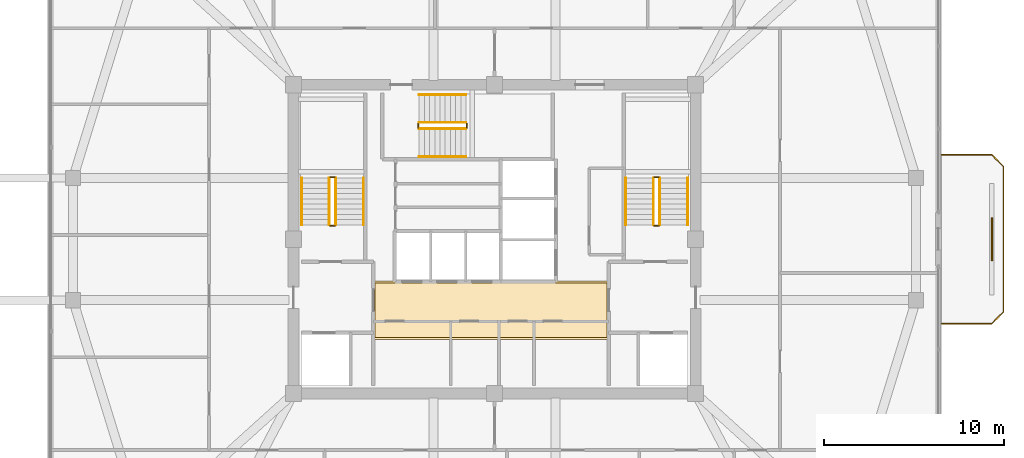
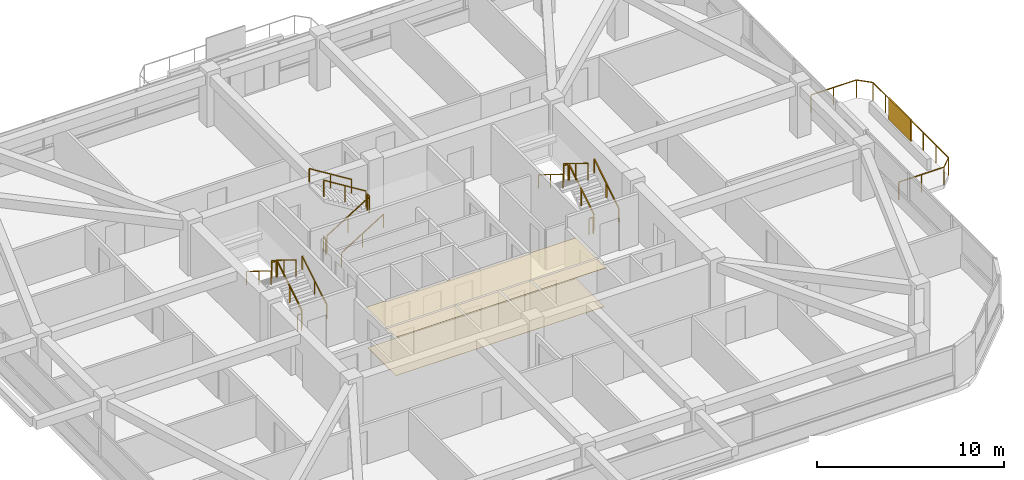
# One storey, part 13 of 14: 19 railings, 2 coverings, 1 shading device.
"""IFC4 building model written with IfcOpenShell, lengths in metres."""

from ifc_helpers import new_model, si_unit, derived_unit, direction, frame, origin, origin_2d, place, context, subcontext, project, spatial, polyline, rectangle, outline, extrude, material, layer, layer_set, type_object, element, save


model = new_model("IFC4")

# Units and contexts
model_context = context("Model", 3, precision=1e-05, world=origin(), true_north=direction((0.0, 1.0)))
body_context = subcontext(model_context, "Body", "Model", "MODEL_VIEW")
ifc_project = project(units=[si_unit("LENGTHUNIT", "METRE"), si_unit("AREAUNIT", "SQUARE_METRE"), si_unit("VOLUMEUNIT", "CUBIC_METRE"), si_unit("PLANEANGLEUNIT", "RADIAN"), si_unit("MASSUNIT", "GRAM", prefix="KILO"), derived_unit("THERMALTRANSMITTANCEUNIT", [(si_unit("POWERUNIT", "WATT"), 1), (si_unit("LENGTHUNIT", "METRE"), -2), (si_unit("THERMODYNAMICTEMPERATUREUNIT", "KELVIN"), -1)])], contexts=[model_context])

# Site, building, storey
site_placement = place(None, origin())
site = spatial("IfcSite", under=ifc_project, at=site_placement, CompositionType="ELEMENT")
building_placement = place(site_placement, origin())
building = spatial("IfcBuilding", under=site, at=building_placement, Name="Koralith Skygarden Medical Center", CompositionType="ELEMENT")
storey_placement = place(building_placement, frame((0.0, 0.0, 246.419921875)))
storey = spatial("IfcBuildingStorey", under=building, at=storey_placement, Name="L63", CompositionType="ELEMENT", Elevation=246.419921875)

# Covering
ifc_material_1 = material(Name="Acoustic Mineral Tile")
ifc_layer_1 = layer(ifc_material_1, 0.02001953125)
ifc_layer_set_1 = layer_set([ifc_layer_1], Name="Acoustic Mineral Tile")
covering_type_1 = type_object("IfcCoveringType", Name="Acoustic Hygienic Mineral Ceiling 20", PredefinedType="CEILING", material=ifc_layer_set_1)
covering_1_placement = place(storey_placement, frame((0.0, 0.0, 2.5849609375)))
element("IfcCovering", 1, at=covering_1_placement, inside=storey, type_object=covering_type_1, Name="L63 Core Lobby Acoustic Ceiling", PredefinedType="CEILING", context=body_context, shape_type="SweptSolid", body=[
    extrude(outline(polyline([(30.25, 20.320068359375), (43.35009765625, 20.320068359375), (43.35009765625, 23.56005859375), (30.25, 23.56005859375), (30.25, 20.320068359375)])), origin(), (0.0, 0.0, 1.0), 0.02001953125),
])

# Railing
ifc_material_2 = material(Name="Steel ASTM A500 Grade C", Category="steel")
railing_type_1 = type_object("IfcRailingType", Name="Outdoor Terrace & Balcony Safety Guardrail 1180", PredefinedType="GUARDRAIL", material=ifc_material_2)
railing_1_placement = place(storey_placement, frame((61.89990234375, 21.199951171875, 0.0)))
element("IfcRailing", 2, at=railing_1_placement, inside=storey, type_object=railing_type_1, Name="L63 E Balcony Perimeter Guardrail", PredefinedType="GUARDRAIL", context=body_context, shape_type="SweptSolid", body=[
    extrude(rectangle(XDim=0.050048828125, YDim=0.050048828125, at=origin_2d()), frame((0.001953125, 0.0, 1.15478515625), z_axis=(1.0, 0.0, 0.0), x_axis=(0.0, 1.0, 0.0)), (0.0, 0.0, 1.0), 2.796142578125),
    extrude(rectangle(XDim=0.050048828125, YDim=0.050048828125, at=origin_2d()), frame((2.801513671875, 0.00146484375, 1.15478515625), z_axis=(0.707106781187, 0.707106781187, 0.0), x_axis=(-0.707106781187, 0.707106781187, 0.0)), (0.0, 0.0, 1.0), 0.91552734375),
    extrude(rectangle(XDim=0.050048828125, YDim=0.050048828125, at=origin_2d()), frame((3.4501953125, 0.652099609375, 1.15478515625), z_axis=(0.0, 1.0, 0.0), x_axis=(-1.0, 0.0, 0.0)), (0.0, 0.0, 1.0), 8.095947265625),
    extrude(rectangle(XDim=0.050048828125, YDim=0.050048828125, at=origin_2d()), frame((3.44873046875, 8.75146484375, 1.15478515625), z_axis=(-0.707106781187, 0.707106781187, 0.0), x_axis=(-0.707106781187, -0.707106781187, 0.0)), (0.0, 0.0, 1.0), 0.91552734375),
    extrude(rectangle(XDim=0.050048828125, YDim=0.050048828125, at=origin_2d()), frame((2.798095703125, 9.400146484375, 1.15478515625), z_axis=(-1.0, 0.0, 0.0), x_axis=(0.0, -1.0, 0.0)), (0.0, 0.0, 1.0), 2.796142578125),
    extrude(rectangle(XDim=0.0419921875, YDim=0.0419921875, at=origin_2d()), origin(), (0.0, 0.0, 1.0), 1.1279296875),
    extrude(rectangle(XDim=0.0419921875, YDim=0.0419921875, at=origin_2d()), frame((1.39990234375, 0.0, 0.0)), (0.0, 0.0, 1.0), 1.1279296875),
    extrude(rectangle(XDim=0.0419921875, YDim=0.0419921875, at=origin_2d()), frame((2.800048828125, 0.0, 0.0)), (0.0, 0.0, 1.0), 1.1279296875),
    extrude(rectangle(XDim=0.0419921875, YDim=0.0419921875, at=origin_2d()), frame((3.4501953125, 0.650146484375, 0.0)), (0.0, 0.0, 1.0), 1.1279296875),
    extrude(rectangle(XDim=0.0419921875, YDim=0.0419921875, at=origin_2d()), frame((3.4501953125, 2.0, 0.0)), (0.0, 0.0, 1.0), 1.1279296875),
    extrude(rectangle(XDim=0.0419921875, YDim=0.0419921875, at=origin_2d()), frame((3.4501953125, 3.35009765625, 0.0)), (0.0, 0.0, 1.0), 1.1279296875),
    extrude(rectangle(XDim=0.0419921875, YDim=0.0419921875, at=origin_2d()), frame((3.4501953125, 4.7001953125, 0.0)), (0.0, 0.0, 1.0), 1.1279296875),
    extrude(rectangle(XDim=0.0419921875, YDim=0.0419921875, at=origin_2d()), frame((3.4501953125, 6.050048828125, 0.0)), (0.0, 0.0, 1.0), 1.1279296875),
    extrude(rectangle(XDim=0.0419921875, YDim=0.0419921875, at=origin_2d()), frame((3.4501953125, 7.39990234375, 0.0)), (0.0, 0.0, 1.0), 1.1279296875),
    extrude(rectangle(XDim=0.0419921875, YDim=0.0419921875, at=origin_2d()), frame((3.4501953125, 8.75, 0.0)), (0.0, 0.0, 1.0), 1.1279296875),
    extrude(rectangle(XDim=0.0419921875, YDim=0.0419921875, at=origin_2d()), frame((2.800048828125, 9.400146484375, 0.0)), (0.0, 0.0, 1.0), 1.1279296875),
    extrude(rectangle(XDim=0.0419921875, YDim=0.0419921875, at=origin_2d()), frame((1.39990234375, 9.400146484375, 0.0)), (0.0, 0.0, 1.0), 1.1279296875),
    extrude(rectangle(XDim=0.0419921875, YDim=0.0419921875, at=origin_2d()), frame((0.0, 9.400146484375, 0.0)), (0.0, 0.0, 1.0), 1.1279296875),
])

# Shading device
ifc_material_3 = material(Name="Aluminium 6063-T6", Category="aluminium")
ifc_layer_2 = layer(ifc_material_3, 0.080078125)
ifc_layer_set_2 = layer_set([ifc_layer_2], Name="Aluminium 6063-T6")
shading_device_type = type_object("IfcShadingDeviceType", Name="Perforated Biophilic Balcony Trellis Screen", PredefinedType="USERDEFINED", material=ifc_layer_set_2)
shading_device_placement = place(storey_placement, frame((64.699951171875, 25.89990234375, 0.72021484375), z_axis=(0.0, 0.0, 1.0), x_axis=(0.0, 1.0, 0.0)))
element("IfcShadingDevice", 3, at=shading_device_placement, inside=storey, type_object=shading_device_type, Name="L63 E Biophilic Balcony Trellis Screen", ObjectType="HURRICANE SCREEN", PredefinedType="USERDEFINED", context=body_context, shape_type="SweptSolid", body=[
    extrude(rectangle(XDim=2.39990234375, YDim=0.080078125, at=origin_2d()), origin(), (0.0, 0.0, 1.0), 1.39990234375),
])

# Covering
ifc_material_4 = material(Name="Medical Terrazzo Flooring")
ifc_layer_3 = layer(ifc_material_4, 0.014892578125)
ifc_layer_set_3 = layer_set([ifc_layer_3], Name="Medical Terrazzo Flooring")
covering_type_2 = type_object("IfcCoveringType", Name="Seamless Antimicrobial Terrazzo Flooring 15", PredefinedType="FLOORING", material=ifc_layer_set_3)
covering_2_placement = place(storey_placement, origin())
element("IfcCovering", 4, at=covering_2_placement, inside=storey, type_object=covering_type_2, Name="L63 Core Lobby Terrazzo Flooring", PredefinedType="FLOORING", context=body_context, shape_type="SweptSolid", body=[
    extrude(outline(polyline([(30.35009765625, 20.419921875), (43.25, 20.419921875), (43.25, 23.4599609375), (30.35009765625, 23.4599609375), (30.35009765625, 20.419921875)])), origin(), (0.0, 0.0, 1.0), 0.01513671875),
])

# Railings
railing_type_2 = type_object("IfcRailingType", Name="Stair Flight Tubular Handrail 920", PredefinedType="HANDRAIL", material=ifc_material_2)
railing_2_placement = place(storey_placement, frame((29.699951171875, 26.699951171875, 0.18017578125)))
element("IfcRailing", 5, at=railing_2_placement, inside=storey, type_object=railing_type_2, Name="L63 ST1 stair handrail 1", PredefinedType="HANDRAIL", context=body_context, shape_type="SweptSolid", body=[
    extrude(rectangle(XDim=0.050048828125, YDim=0.050048828125, at=origin_2d()), frame((0.0, 0.001708984375, 0.89599609375), z_axis=(0.0, 0.849668407637, 0.527317358963), x_axis=(-1.0, 0.0, 0.0)), (0.0, 0.0, 1.0), 3.06787109375),
    extrude(rectangle(XDim=0.0419921875, YDim=0.0419921875, at=origin_2d()), origin(), (0.0, 0.0, 1.0), 0.867919921875),
    extrude(rectangle(XDim=0.0419921875, YDim=0.0419921875, at=origin_2d()), frame((0.0, 1.30517578125, 0.81005859375)), (0.0, 0.0, 1.0), 0.867919921875),
    extrude(rectangle(XDim=0.0419921875, YDim=0.0419921875, at=origin_2d()), frame((0.0, 2.610107421875, 1.619873046875)), (0.0, 0.0, 1.0), 0.867919921875),
])
railing_3_placement = place(storey_placement, frame((26.25, 29.31005859375, 1.97998046875)))
element("IfcRailing", 6, at=railing_3_placement, inside=storey, type_object=railing_type_2, Name="L63 ST1 stair handrail 2", PredefinedType="HANDRAIL", context=body_context, shape_type="SweptSolid", body=[
    extrude(rectangle(XDim=0.050048828125, YDim=0.050048828125, at=origin_2d()), frame((0.0, -0.001708984375, 0.89599609375), z_axis=(0.0, -0.849632798774, 0.527374731332), x_axis=(1.0, 0.0, 0.0)), (0.0, 0.0, 1.0), 3.068115234375),
    extrude(rectangle(XDim=0.0419921875, YDim=0.0419921875, at=origin_2d()), origin(), (0.0, 0.0, 1.0), 0.867919921875),
    extrude(rectangle(XDim=0.0419921875, YDim=0.0419921875, at=origin_2d()), frame((0.0, -1.30517578125, 0.81005859375)), (0.0, 0.0, 1.0), 0.867919921875),
    extrude(rectangle(XDim=0.0419921875, YDim=0.0419921875, at=origin_2d()), frame((0.0, -2.610107421875, 1.6201171875)), (0.0, 0.0, 1.0), 0.867919921875),
])
railing_4_placement = place(storey_placement, frame((47.75, 26.699951171875, 0.18017578125)))
element("IfcRailing", 7, at=railing_4_placement, inside=storey, type_object=railing_type_2, Name="L63 ST2 stair handrail 1", PredefinedType="HANDRAIL", context=body_context, shape_type="SweptSolid", body=[
    extrude(rectangle(XDim=0.050048828125, YDim=0.050048828125, at=origin_2d()), frame((0.0, 0.001708984375, 0.89599609375), z_axis=(0.0, 0.849668407637, 0.527317358963), x_axis=(-1.0, 0.0, 0.0)), (0.0, 0.0, 1.0), 3.06787109375),
    extrude(rectangle(XDim=0.0419921875, YDim=0.0419921875, at=origin_2d()), origin(), (0.0, 0.0, 1.0), 0.867919921875),
    extrude(rectangle(XDim=0.0419921875, YDim=0.0419921875, at=origin_2d()), frame((0.0, 1.30517578125, 0.81005859375)), (0.0, 0.0, 1.0), 0.867919921875),
    extrude(rectangle(XDim=0.0419921875, YDim=0.0419921875, at=origin_2d()), frame((0.0, 2.610107421875, 1.619873046875)), (0.0, 0.0, 1.0), 0.867919921875),
])
railing_5_placement = place(storey_placement, frame((44.300048828125, 29.31005859375, 1.97998046875)))
element("IfcRailing", 8, at=railing_5_placement, inside=storey, type_object=railing_type_2, Name="L63 ST2 stair handrail 2", PredefinedType="HANDRAIL", context=body_context, shape_type="SweptSolid", body=[
    extrude(rectangle(XDim=0.050048828125, YDim=0.050048828125, at=origin_2d()), frame((0.0, -0.001708984375, 0.89599609375), z_axis=(0.0, -0.849632798774, 0.527374731332), x_axis=(1.0, 0.0, 0.0)), (0.0, 0.0, 1.0), 3.068115234375),
    extrude(rectangle(XDim=0.0419921875, YDim=0.0419921875, at=origin_2d()), origin(), (0.0, 0.0, 1.0), 0.867919921875),
    extrude(rectangle(XDim=0.0419921875, YDim=0.0419921875, at=origin_2d()), frame((0.0, -1.30517578125, 0.81005859375)), (0.0, 0.0, 1.0), 0.867919921875),
    extrude(rectangle(XDim=0.0419921875, YDim=0.0419921875, at=origin_2d()), frame((0.0, -2.610107421875, 1.6201171875)), (0.0, 0.0, 1.0), 0.867919921875),
])
railing_6_placement = place(storey_placement, frame((32.800048828125, 30.5, 0.18017578125)))
element("IfcRailing", 9, at=railing_6_placement, inside=storey, type_object=railing_type_2, Name="L63 ST3 stair handrail 1", PredefinedType="HANDRAIL", context=body_context, shape_type="SweptSolid", body=[
    extrude(rectangle(XDim=0.050048828125, YDim=0.050048828125, at=origin_2d()), frame((0.001708984375, 0.0, 0.89599609375), z_axis=(0.849646306263, 0.0, 0.527352969322), x_axis=(0.0, 1.0, 0.0)), (0.0, 0.0, 1.0), 3.067626953125),
    extrude(rectangle(XDim=0.0419921875, YDim=0.0419921875, at=origin_2d()), origin(), (0.0, 0.0, 1.0), 0.867919921875),
    extrude(rectangle(XDim=0.0419921875, YDim=0.0419921875, at=origin_2d()), frame((1.304931640625, 0.0, 0.81005859375)), (0.0, 0.0, 1.0), 0.867919921875),
    extrude(rectangle(XDim=0.0419921875, YDim=0.0419921875, at=origin_2d()), frame((2.60986328125, 0.0, 1.619873046875)), (0.0, 0.0, 1.0), 0.867919921875),
])
railing_7_placement = place(storey_placement, frame((35.409912109375, 33.949951171875, 1.97998046875)))
element("IfcRailing", 10, at=railing_7_placement, inside=storey, type_object=railing_type_2, Name="L63 ST3 stair handrail 2", PredefinedType="HANDRAIL", context=body_context, shape_type="SweptSolid", body=[
    extrude(rectangle(XDim=0.050048828125, YDim=0.050048828125, at=origin_2d()), frame((-0.001708984375, 0.0, 0.89599609375), z_axis=(-0.849610693518, 0.0, 0.52741034258), x_axis=(0.0, -1.0, 0.0)), (0.0, 0.0, 1.0), 3.06787109375),
    extrude(rectangle(XDim=0.0419921875, YDim=0.0419921875, at=origin_2d()), origin(), (0.0, 0.0, 1.0), 0.867919921875),
    extrude(rectangle(XDim=0.0419921875, YDim=0.0419921875, at=origin_2d()), frame((-1.304931640625, 0.0, 0.81005859375)), (0.0, 0.0, 1.0), 0.867919921875),
    extrude(rectangle(XDim=0.0419921875, YDim=0.0419921875, at=origin_2d()), frame((-2.60986328125, 0.0, 1.6201171875)), (0.0, 0.0, 1.0), 0.867919921875),
])
railing_type_3 = type_object("IfcRailingType", Name="Stair Well Safety Guardrail 1100", PredefinedType="GUARDRAIL", material=ifc_material_2)
railing_8_placement = place(storey_placement, frame((28.14990234375, 26.699951171875, 0.18017578125)))
element("IfcRailing", 11, at=railing_8_placement, inside=storey, type_object=railing_type_3, Name="L63 ST1 stair guard 1", PredefinedType="GUARDRAIL", context=body_context, shape_type="SweptSolid", body=[
    extrude(rectangle(XDim=0.050048828125, YDim=0.050048828125, at=origin_2d()), frame((0.0, 0.001708984375, 1.076171875), z_axis=(0.0, 0.849668407637, 0.527317358963), x_axis=(-1.0, 0.0, 0.0)), (0.0, 0.0, 1.0), 3.06787109375),
    extrude(rectangle(XDim=0.0419921875, YDim=0.0419921875, at=origin_2d()), origin(), (0.0, 0.0, 1.0), 1.048095703125),
    extrude(rectangle(XDim=0.0419921875, YDim=0.0419921875, at=origin_2d()), frame((0.0, 1.30517578125, 0.81005859375)), (0.0, 0.0, 1.0), 1.048095703125),
    extrude(rectangle(XDim=0.0419921875, YDim=0.0419921875, at=origin_2d()), frame((0.0, 2.610107421875, 1.619873046875)), (0.0, 0.0, 1.0), 1.048095703125),
])
railing_9_placement = place(storey_placement, frame((28.10009765625, 29.360107421875, 1.800048828125)))
element("IfcRailing", 12, at=railing_9_placement, inside=storey, type_object=railing_type_3, Name="L63 ST1 stair guard 2", PredefinedType="GUARDRAIL", context=body_context, shape_type="SweptSolid", body=[
    extrude(rectangle(XDim=0.050048828125, YDim=0.050048828125, at=origin_2d()), frame((-0.001953125, 0.0, 1.0751953125), z_axis=(-1.0, 0.0, 0.0), x_axis=(0.0, -1.0, 0.0)), (0.0, 0.0, 1.0), 0.24609375),
    extrude(rectangle(XDim=0.0419921875, YDim=0.0419921875, at=origin_2d()), origin(), (0.0, 0.0, 1.0), 1.048095703125),
    extrude(rectangle(XDim=0.0419921875, YDim=0.0419921875, at=origin_2d()), frame((-0.25, 0.0, 0.0)), (0.0, 0.0, 1.0), 1.048095703125),
])
railing_10_placement = place(storey_placement, frame((27.800048828125, 29.31005859375, 1.97998046875)))
element("IfcRailing", 13, at=railing_10_placement, inside=storey, type_object=railing_type_3, Name="L63 ST1 stair guard 3", PredefinedType="GUARDRAIL", context=body_context, shape_type="SweptSolid", body=[
    extrude(rectangle(XDim=0.050048828125, YDim=0.050048828125, at=origin_2d()), frame((0.0, -0.001708984375, 1.076171875), z_axis=(0.0, -0.849632798774, 0.527374731332), x_axis=(1.0, 0.0, 0.0)), (0.0, 0.0, 1.0), 3.068115234375),
    extrude(rectangle(XDim=0.0419921875, YDim=0.0419921875, at=origin_2d()), origin(), (0.0, 0.0, 1.0), 1.048095703125),
    extrude(rectangle(XDim=0.0419921875, YDim=0.0419921875, at=origin_2d()), frame((0.0, -1.30517578125, 0.81005859375)), (0.0, 0.0, 1.0), 1.048095703125),
    extrude(rectangle(XDim=0.0419921875, YDim=0.0419921875, at=origin_2d()), frame((0.0, -2.610107421875, 1.6201171875)), (0.0, 0.0, 1.0), 1.048095703125),
])
railing_11_placement = place(storey_placement, frame((28.10009765625, 26.64990234375, 0.0)))
element("IfcRailing", 14, at=railing_11_placement, inside=storey, type_object=railing_type_3, Name="L63 ST1 stair guard 4", PredefinedType="GUARDRAIL", context=body_context, shape_type="SweptSolid", body=[
    extrude(rectangle(XDim=0.050048828125, YDim=0.050048828125, at=origin_2d()), frame((-0.001953125, 0.0, 1.0751953125), z_axis=(-1.0, 0.0, 0.0), x_axis=(0.0, -1.0, 0.0)), (0.0, 0.0, 1.0), 0.24609375),
    extrude(rectangle(XDim=0.0419921875, YDim=0.0419921875, at=origin_2d()), origin(), (0.0, 0.0, 1.0), 1.048095703125),
    extrude(rectangle(XDim=0.0419921875, YDim=0.0419921875, at=origin_2d()), frame((-0.25, 0.0, 0.0)), (0.0, 0.0, 1.0), 1.048095703125),
])
railing_12_placement = place(storey_placement, frame((46.199951171875, 26.699951171875, 0.18017578125)))
element("IfcRailing", 15, at=railing_12_placement, inside=storey, type_object=railing_type_3, Name="L63 ST2 stair guard 1", PredefinedType="GUARDRAIL", context=body_context, shape_type="SweptSolid", body=[
    extrude(rectangle(XDim=0.050048828125, YDim=0.050048828125, at=origin_2d()), frame((0.0, 0.001708984375, 1.076171875), z_axis=(0.0, 0.849668407637, 0.527317358963), x_axis=(-1.0, 0.0, 0.0)), (0.0, 0.0, 1.0), 3.06787109375),
    extrude(rectangle(XDim=0.0419921875, YDim=0.0419921875, at=origin_2d()), origin(), (0.0, 0.0, 1.0), 1.048095703125),
    extrude(rectangle(XDim=0.0419921875, YDim=0.0419921875, at=origin_2d()), frame((0.0, 1.30517578125, 0.81005859375)), (0.0, 0.0, 1.0), 1.048095703125),
    extrude(rectangle(XDim=0.0419921875, YDim=0.0419921875, at=origin_2d()), frame((0.0, 2.610107421875, 1.619873046875)), (0.0, 0.0, 1.0), 1.048095703125),
])
railing_13_placement = place(storey_placement, frame((46.14990234375, 29.360107421875, 1.800048828125)))
element("IfcRailing", 16, at=railing_13_placement, inside=storey, type_object=railing_type_3, Name="L63 ST2 stair guard 2", PredefinedType="GUARDRAIL", context=body_context, shape_type="SweptSolid", body=[
    extrude(rectangle(XDim=0.050048828125, YDim=0.050048828125, at=origin_2d()), frame((-0.001953125, 0.0, 1.0751953125), z_axis=(-1.0, 0.0, 0.0), x_axis=(0.0, -1.0, 0.0)), (0.0, 0.0, 1.0), 0.24609375),
    extrude(rectangle(XDim=0.0419921875, YDim=0.0419921875, at=origin_2d()), origin(), (0.0, 0.0, 1.0), 1.048095703125),
    extrude(rectangle(XDim=0.0419921875, YDim=0.0419921875, at=origin_2d()), frame((-0.25, 0.0, 0.0)), (0.0, 0.0, 1.0), 1.048095703125),
])
railing_14_placement = place(storey_placement, frame((45.85009765625, 29.31005859375, 1.97998046875)))
element("IfcRailing", 17, at=railing_14_placement, inside=storey, type_object=railing_type_3, Name="L63 ST2 stair guard 3", PredefinedType="GUARDRAIL", context=body_context, shape_type="SweptSolid", body=[
    extrude(rectangle(XDim=0.050048828125, YDim=0.050048828125, at=origin_2d()), frame((0.0, -0.001708984375, 1.076171875), z_axis=(0.0, -0.849632798774, 0.527374731332), x_axis=(1.0, 0.0, 0.0)), (0.0, 0.0, 1.0), 3.068115234375),
    extrude(rectangle(XDim=0.0419921875, YDim=0.0419921875, at=origin_2d()), origin(), (0.0, 0.0, 1.0), 1.048095703125),
    extrude(rectangle(XDim=0.0419921875, YDim=0.0419921875, at=origin_2d()), frame((0.0, -1.30517578125, 0.81005859375)), (0.0, 0.0, 1.0), 1.048095703125),
    extrude(rectangle(XDim=0.0419921875, YDim=0.0419921875, at=origin_2d()), frame((0.0, -2.610107421875, 1.6201171875)), (0.0, 0.0, 1.0), 1.048095703125),
])
railing_15_placement = place(storey_placement, frame((46.14990234375, 26.64990234375, 0.0)))
element("IfcRailing", 18, at=railing_15_placement, inside=storey, type_object=railing_type_3, Name="L63 ST2 stair guard 4", PredefinedType="GUARDRAIL", context=body_context, shape_type="SweptSolid", body=[
    extrude(rectangle(XDim=0.050048828125, YDim=0.050048828125, at=origin_2d()), frame((-0.001953125, 0.0, 1.0751953125), z_axis=(-1.0, 0.0, 0.0), x_axis=(0.0, -1.0, 0.0)), (0.0, 0.0, 1.0), 0.24609375),
    extrude(rectangle(XDim=0.0419921875, YDim=0.0419921875, at=origin_2d()), origin(), (0.0, 0.0, 1.0), 1.048095703125),
    extrude(rectangle(XDim=0.0419921875, YDim=0.0419921875, at=origin_2d()), frame((-0.25, 0.0, 0.0)), (0.0, 0.0, 1.0), 1.048095703125),
])
railing_16_placement = place(storey_placement, frame((32.800048828125, 32.050048828125, 0.18017578125)))
element("IfcRailing", 19, at=railing_16_placement, inside=storey, type_object=railing_type_3, Name="L63 ST3 stair guard 1", PredefinedType="GUARDRAIL", context=body_context, shape_type="SweptSolid", body=[
    extrude(rectangle(XDim=0.050048828125, YDim=0.050048828125, at=origin_2d()), frame((0.001708984375, 0.0, 1.076171875), z_axis=(0.849646306263, 0.0, 0.527352969322), x_axis=(0.0, 1.0, 0.0)), (0.0, 0.0, 1.0), 3.067626953125),
    extrude(rectangle(XDim=0.0419921875, YDim=0.0419921875, at=origin_2d()), origin(), (0.0, 0.0, 1.0), 1.048095703125),
    extrude(rectangle(XDim=0.0419921875, YDim=0.0419921875, at=origin_2d()), frame((1.304931640625, 0.0, 0.81005859375)), (0.0, 0.0, 1.0), 1.048095703125),
    extrude(rectangle(XDim=0.0419921875, YDim=0.0419921875, at=origin_2d()), frame((2.60986328125, 0.0, 1.619873046875)), (0.0, 0.0, 1.0), 1.048095703125),
])
railing_17_placement = place(storey_placement, frame((35.4599609375, 32.10009765625, 1.800048828125)))
element("IfcRailing", 20, at=railing_17_placement, inside=storey, type_object=railing_type_3, Name="L63 ST3 stair guard 2", PredefinedType="GUARDRAIL", context=body_context, shape_type="SweptSolid", body=[
    extrude(rectangle(XDim=0.050048828125, YDim=0.050048828125, at=origin_2d()), frame((0.0, 0.001953125, 1.0751953125), z_axis=(0.0, 1.0, 0.0), x_axis=(-1.0, 0.0, 0.0)), (0.0, 0.0, 1.0), 0.24609375),
    extrude(rectangle(XDim=0.0419921875, YDim=0.0419921875, at=origin_2d()), origin(), (0.0, 0.0, 1.0), 1.048095703125),
    extrude(rectangle(XDim=0.0419921875, YDim=0.0419921875, at=origin_2d()), frame((0.0, 0.25, 0.0)), (0.0, 0.0, 1.0), 1.048095703125),
])
railing_18_placement = place(storey_placement, frame((35.409912109375, 32.39990234375, 1.97998046875)))
element("IfcRailing", 21, at=railing_18_placement, inside=storey, type_object=railing_type_3, Name="L63 ST3 stair guard 3", PredefinedType="GUARDRAIL", context=body_context, shape_type="SweptSolid", body=[
    extrude(rectangle(XDim=0.050048828125, YDim=0.050048828125, at=origin_2d()), frame((-0.001708984375, 0.0, 1.076171875), z_axis=(-0.849610693518, 0.0, 0.52741034258), x_axis=(0.0, -1.0, 0.0)), (0.0, 0.0, 1.0), 3.06787109375),
    extrude(rectangle(XDim=0.0419921875, YDim=0.0419921875, at=origin_2d()), origin(), (0.0, 0.0, 1.0), 1.048095703125),
    extrude(rectangle(XDim=0.0419921875, YDim=0.0419921875, at=origin_2d()), frame((-1.304931640625, 0.0, 0.81005859375)), (0.0, 0.0, 1.0), 1.048095703125),
    extrude(rectangle(XDim=0.0419921875, YDim=0.0419921875, at=origin_2d()), frame((-2.60986328125, 0.0, 1.6201171875)), (0.0, 0.0, 1.0), 1.048095703125),
])
railing_19_placement = place(storey_placement, frame((32.75, 32.10009765625, 0.0)))
element("IfcRailing", 22, at=railing_19_placement, inside=storey, type_object=railing_type_3, Name="L63 ST3 stair guard 4", PredefinedType="GUARDRAIL", context=body_context, shape_type="SweptSolid", body=[
    extrude(rectangle(XDim=0.050048828125, YDim=0.050048828125, at=origin_2d()), frame((0.0, 0.001953125, 1.0751953125), z_axis=(0.0, 1.0, 0.0), x_axis=(-1.0, 0.0, 0.0)), (0.0, 0.0, 1.0), 0.24609375),
    extrude(rectangle(XDim=0.0419921875, YDim=0.0419921875, at=origin_2d()), origin(), (0.0, 0.0, 1.0), 1.048095703125),
    extrude(rectangle(XDim=0.0419921875, YDim=0.0419921875, at=origin_2d()), frame((0.0, 0.25, 0.0)), (0.0, 0.0, 1.0), 1.048095703125),
])

save(model, "model.ifc")
